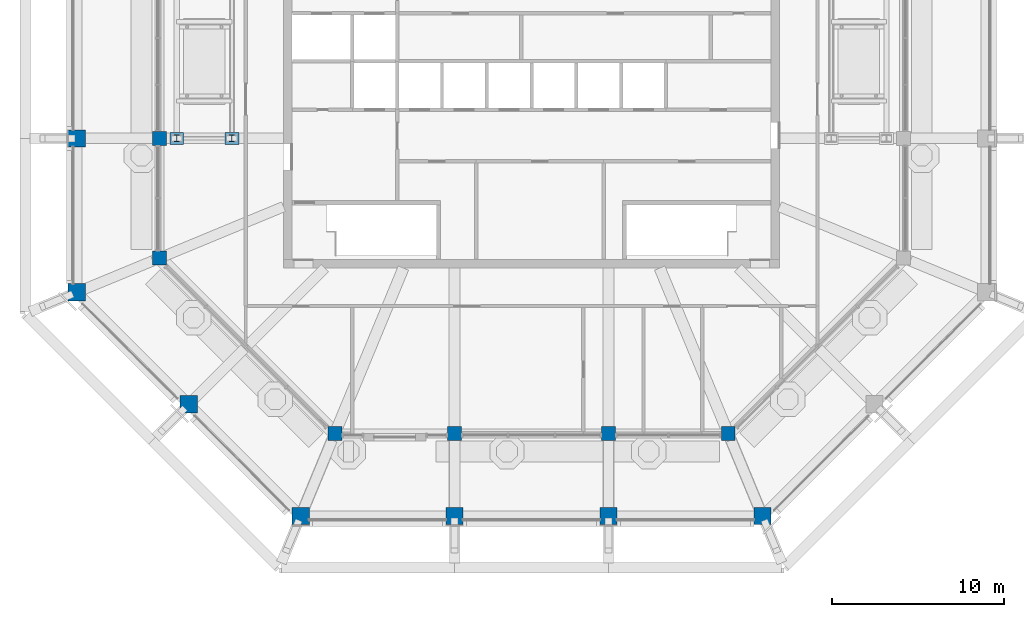
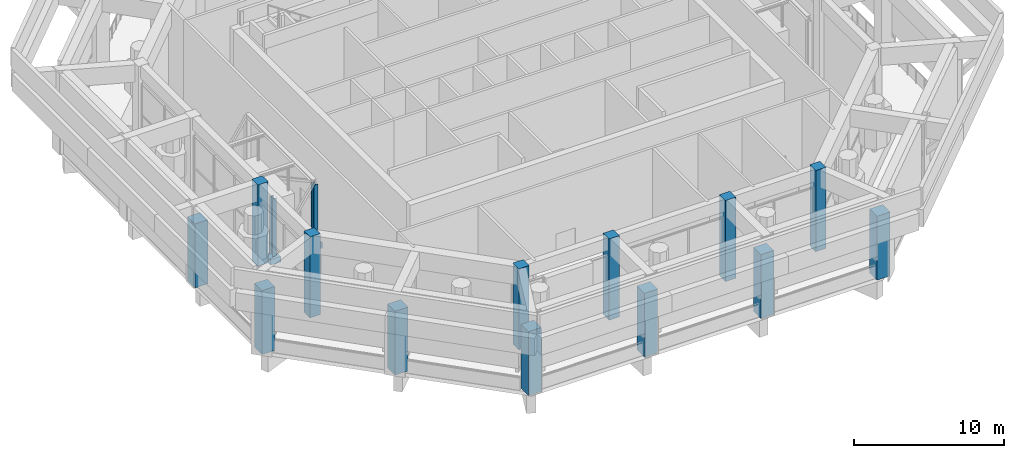
# One storey, part 1 of 29: 17 columns.
"""IFC4 building model written with IfcOpenShell, lengths in metres."""

from ifc_helpers import new_model, si_unit, direction, frame, origin, origin_2d, place, context, subcontext, project, spatial, rectangle, i_section, extrude, material, material_profile, profile_set, type_object, element, save


model = new_model("IFC4")

# Units and contexts
model_context = context("Model", 3, precision=1e-05, world=origin(), true_north=direction((0.0, 1.0)))
body_context = subcontext(model_context, "Body", "Model", "MODEL_VIEW")
ifc_project = project(units=[si_unit("LENGTHUNIT", "METRE"), si_unit("AREAUNIT", "SQUARE_METRE"), si_unit("VOLUMEUNIT", "CUBIC_METRE"), si_unit("PLANEANGLEUNIT", "RADIAN"), si_unit("MASSUNIT", "GRAM", prefix="KILO")], contexts=[model_context])

# Site, building, storey
site_placement = place(None, origin())
site = spatial("IfcSite", under=ifc_project, at=site_placement, CompositionType="ELEMENT")
building_placement = place(site_placement, origin())
building = spatial("IfcBuilding", under=site, at=building_placement, Name="Msitu Wima Residences", CompositionType="ELEMENT")
storey_placement = place(building_placement, frame((0.0, 0.0, 320.10009765625)))
storey = spatial("IfcBuildingStorey", under=building, at=storey_placement, Name="L74", CompositionType="ELEMENT", Elevation=320.10009765625)

# Columns
ifc_material_1 = material(Name="Concrete C60/75", Category="concrete")
ifc_material_profile_1 = material_profile(ifc_material_1, rectangle(XDim=1.0, YDim=1.0, at=origin_2d()), Name="RC 1000x1000")
ifc_profile_set_1 = profile_set([ifc_material_profile_1], Name="Concrete C60/75")
column_type_1 = type_object("IfcColumnType", Name="Canopy pier CP1000", PredefinedType="COLUMN", material=ifc_profile_set_1)
for number, where, z_axis, x_axis, name in (
    (1, (-26.39990234375, -4.46875, 0.0), (0.0, 0.0, 1.0), (1.0, 0.0, 0.0), "Canopy pier C-W2"),
    (2, (-26.39990234375, -13.406005859375, 0.0), (0.0, 0.0, 1.0), (1.0, 0.0, 0.0), "Canopy pier C-SW0"),
    (3, (-19.90283203125, -19.90283203125, 0.0), (0.0, 0.0, 1.0), (1.0, 0.0, 0.0), "Canopy pier C-SW1"),
    (4, (-13.406005859375, -26.39990234375, 0.0), (0.0, 0.0, 1.0), (1.0, 0.0, 0.0), "Canopy pier C-S0"),
    (5, (-4.46875, -26.39990234375, 0.0), (0.0, 0.0, 1.0), (1.0, 0.0, 0.0), "Canopy pier C-S1"),
    (6, (4.46875, -26.39990234375, 0.0), (0.0, 0.0, 1.0), (1.0, 0.0, 0.0), "Canopy pier C-S2"),
    (7, (13.406005859375, -26.39990234375, 0.0), (0.0, 0.0, 1.0), (1.0, 0.0, 0.0), "Canopy pier C-SE0"),
):
    element("IfcColumn", number, at=place(storey_placement, frame(where, z_axis=z_axis, x_axis=x_axis)), inside=storey, type_object=column_type_1, Name=name, PredefinedType="COLUMN", context=body_context, shape_type="SweptSolid", body=[
        extrude(rectangle(XDim=1.0, YDim=1.0, at=origin_2d()), origin(), (0.0, 0.0, 1.0), 5.199951171875),
    ])
ifc_material_profile_2 = material_profile(ifc_material_1, rectangle(XDim=0.800048828125, YDim=0.800048828125, at=origin_2d()), Name="RC 800x800")
ifc_profile_set_2 = profile_set([ifc_material_profile_2], Name="Concrete C60/75")
column_type_2 = type_object("IfcColumnType", Name="Chamber column CC800", PredefinedType="COLUMN", material=ifc_profile_set_2)
for number, where, z_axis, x_axis, name in (
    (8, (-21.60009765625, -4.46875, 0.0), (0.0, 0.0, 1.0), (1.0, 0.0, 0.0), "Chamber column CH10"),
    (9, (-21.60009765625, -11.417724609375, 0.0), (0.0, 0.0, 1.0), (1.0, 0.0, 0.0), "Chamber column CH11"),
    (10, (-11.417724609375, -21.60009765625, 0.0), (0.0, 0.0, 1.0), (1.0, 0.0, 0.0), "Chamber column CH12"),
    (11, (-4.46875, -21.60009765625, 0.0), (0.0, 0.0, 1.0), (1.0, 0.0, 0.0), "Chamber column CH13"),
    (12, (4.46875, -21.60009765625, 0.0), (0.0, 0.0, 1.0), (1.0, 0.0, 0.0), "Chamber column CH14"),
    (13, (11.417724609375, -21.60009765625, 0.0), (0.0, 0.0, 1.0), (1.0, 0.0, 0.0), "Chamber column CH15"),
):
    element("IfcColumn", number, at=place(storey_placement, frame(where, z_axis=z_axis, x_axis=x_axis)), inside=storey, type_object=column_type_2, Name=name, PredefinedType="COLUMN", context=body_context, shape_type="SweptSolid", body=[
        extrude(rectangle(XDim=0.800048828125, YDim=0.800048828125, at=origin_2d()), origin(), (0.0, 0.0, 1.0), 6.599853515625),
    ])
ifc_material_2 = material(Name="Steel S355", Category="steel")
ifc_material_profile_3 = material_profile(ifc_material_2, i_section(OverallWidth=0.300048828125, OverallDepth=0.39990234375, WebThickness=0.013427734375, FlangeThickness=0.02392578125, FilletRadius=0.027099609375, at=origin_2d()), Name="HEB 400")
ifc_profile_set_3 = profile_set([ifc_material_profile_3], Name="Steel S355")
column_type_3 = type_object("IfcColumnType", Name="Damper frame HEB 400", PredefinedType="COLUMN", material=ifc_profile_set_3)
for number, where, z_axis, x_axis, name in (
    (14, (-17.39990234375, -4.46875, 0.19482421875), (0.0, 0.0, 1.0), (1.0, 0.0, 0.0), "Damper frame column W1"),
    (15, (-20.60009765625, -4.46875, 0.19482421875), (0.0, 0.0, 1.0), (1.0, 0.0, 0.0), "Damper frame column W3"),
):
    element("IfcColumn", number, at=place(storey_placement, frame(where, z_axis=z_axis, x_axis=x_axis)), inside=storey, type_object=column_type_3, Name=name, PredefinedType="COLUMN", context=body_context, shape_type="SweptSolid", body=[
        extrude(i_section(OverallWidth=0.300048828125, OverallDepth=0.39990234375, WebThickness=0.013427734375, FlangeThickness=0.02392578125, FilletRadius=0.027099609375, at=origin_2d()), origin(), (0.0, 0.0, 1.0), 4.705078125),
    ])
ifc_material_profile_4 = material_profile(ifc_material_1, rectangle(XDim=0.800048828125, YDim=0.699951171875, at=origin_2d()), Name="RC 800x700")
ifc_profile_set_4 = profile_set([ifc_material_profile_4], Name="Concrete C60/75")
column_type_4 = type_object("IfcColumnType", Name="Damper pedestal DP800x700", PredefinedType="COLUMN", material=ifc_profile_set_4)
for number, where, z_axis, x_axis, name in (
    (16, (-17.39990234375, -4.46875, -0.300048828125), (0.0, 0.0, 1.0), (1.0, 0.0, 0.0), "Damper frame pedestal W1"),
    (17, (-20.60009765625, -4.46875, -0.300048828125), (0.0, 0.0, 1.0), (1.0, 0.0, 0.0), "Damper frame pedestal W3"),
):
    element("IfcColumn", number, at=place(storey_placement, frame(where, z_axis=z_axis, x_axis=x_axis)), inside=storey, type_object=column_type_4, Name=name, PredefinedType="COLUMN", context=body_context, shape_type="SweptSolid", body=[
        extrude(rectangle(XDim=0.800048828125, YDim=0.699951171875, at=origin_2d()), origin(), (0.0, 0.0, 1.0), 0.449951171875),
    ])

save(model, "model.ifc")
